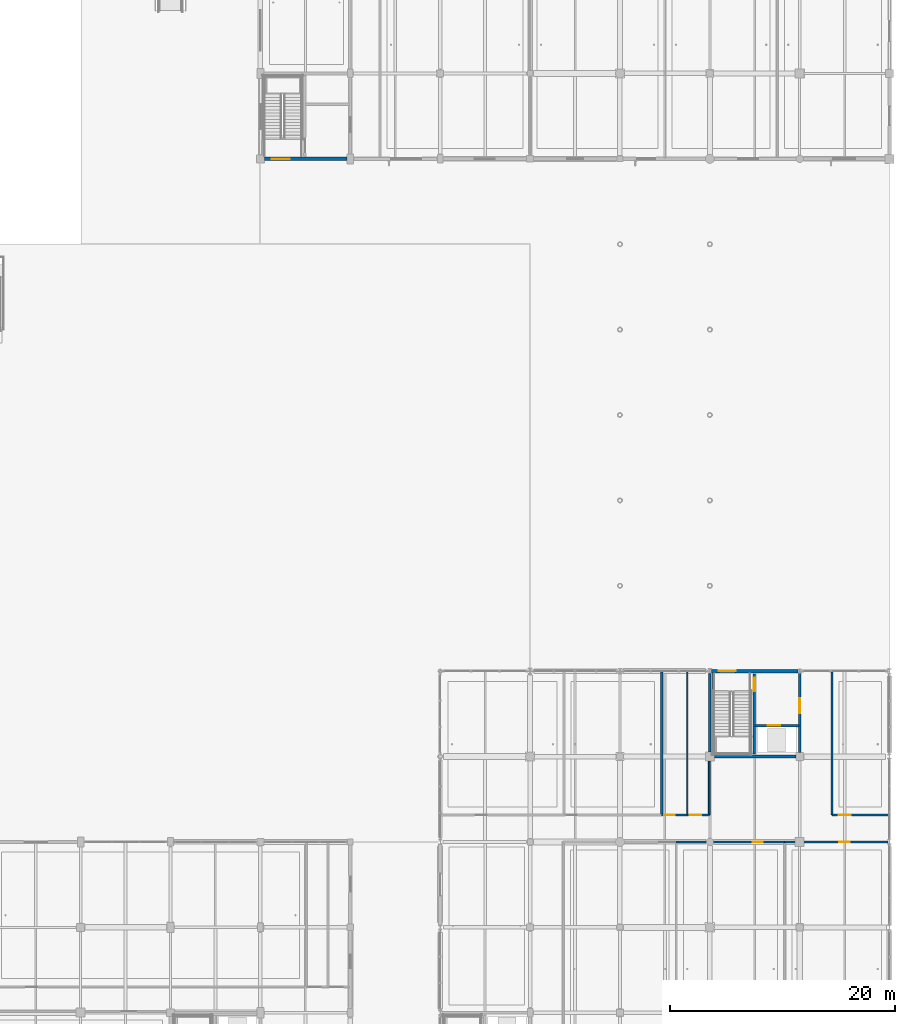
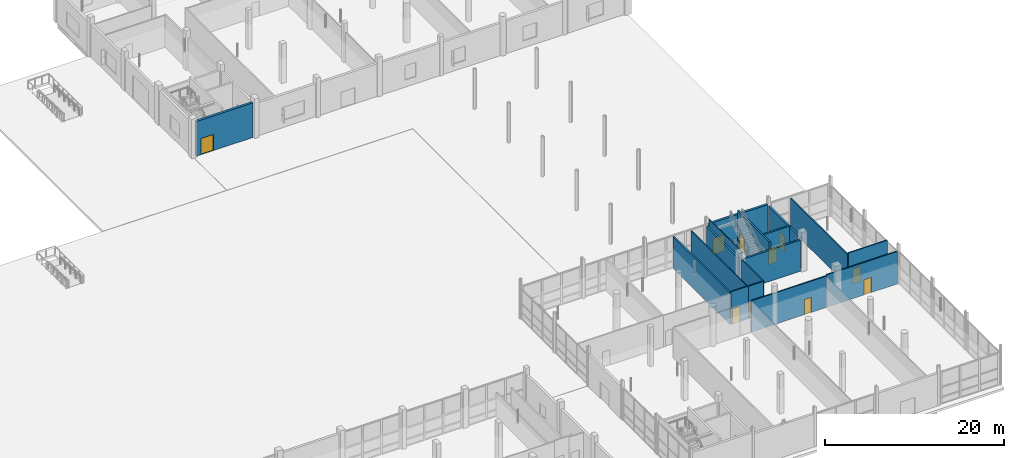
# One storey, part 68 of 126: 17 walls, 10 doors, 10 openings.
"""IFC4 building model written with IfcOpenShell, lengths in metres."""

from ifc_helpers import new_model, si_unit, direction, frame, frame_2d, origin, place, context, subcontext, project, spatial, rectangle, extrude, material, layer, layer_set, type_object, element, fill, save


model = new_model("IFC4")

# Units and contexts
model_context = context("Model", 3, precision=1e-05, world=origin(), true_north=direction((0.0, 1.0)))
body_context = subcontext(model_context, "Body", "Model", "MODEL_VIEW")
ifc_project = project(units=[si_unit("LENGTHUNIT", "METRE"), si_unit("AREAUNIT", "SQUARE_METRE"), si_unit("VOLUMEUNIT", "CUBIC_METRE"), si_unit("PLANEANGLEUNIT", "RADIAN"), si_unit("MASSUNIT", "GRAM", prefix="KILO")], contexts=[model_context])

# Site, building, storey
site_placement = place(None, origin())
site = spatial("IfcSite", under=ifc_project, at=site_placement, CompositionType="ELEMENT")
building_placement = place(site_placement, origin())
building = spatial("IfcBuilding", under=site, at=building_placement, Name="Khelvaren Railside Concert Hall", CompositionType="ELEMENT")
storey_placement = place(building_placement, origin())
storey = spatial("IfcBuildingStorey", under=building, at=storey_placement, Name="L00", CompositionType="ELEMENT", Elevation=0.0)

# Walls
ifc_material_1 = material(Name="Concrete C40/50", Category="concrete")
ifc_layer_1 = layer(ifc_material_1, 0.139892578125)
ifc_layer_set_1 = layer_set([ifc_layer_1], Name="Concrete C40/50")
wall_type_1 = type_object("IfcWallType", Name="CW17", PredefinedType="SOLIDWALL", material=ifc_layer_set_1)
wall_1_placement = place(storey_placement, frame((168.27490234375, 30.550048828125, 0.0), z_axis=(0.0, 0.0, 1.0), x_axis=(0.0, 1.0, 0.0)))
element("IfcWall", 1, at=wall_1_placement, inside=storey, type_object=wall_type_1, Name="Core Shaft Structural Liner Wall ST-04-L00", PredefinedType="SOLIDWALL", context=body_context, shape_type="SweptSolid", body=[
    extrude(rectangle(XDim=7.300048828125, YDim=0.139892578125, at=frame_2d((3.64990234375, 0.0))), origin(), (0.0, 0.0, 1.0), 5.10009765625),
])
ifc_layer_2 = layer(ifc_material_1, 0.25)
ifc_layer_set_2 = layer_set([ifc_layer_2], Name="Concrete C40/50")
wall_type_2 = type_object("IfcWallType", Name="CW82", PredefinedType="SOLIDWALL", material=ifc_layer_set_2)
wall_2_placement = place(storey_placement, frame((168.0, 30.800048828125, 0.0), z_axis=(0.0, 0.0, 1.0), x_axis=(0.0, 1.0, 0.0)))
element("IfcWall", 2, at=wall_2_placement, inside=storey, type_object=wall_type_2, Name="Core Enclosure Wall CWALL-ST-04-L00-W", PredefinedType="SOLIDWALL", context=body_context, shape_type="SweptSolid", body=[
    extrude(rectangle(XDim=7.0, YDim=0.25, at=frame_2d((3.5, 0.0))), origin(), (0.0, 0.0, 1.0), 4.235107421875),
])
wall_3_placement = place(storey_placement, frame((168.39990234375, 30.39990234375, 0.0), z_axis=(0.0, 0.0, 1.0), x_axis=(1.0, 0.0, 0.0)))
element("IfcWall", 3, at=wall_3_placement, inside=storey, type_object=wall_type_2, Name="Core Enclosure Wall CWALL-ST-04-L00-S", PredefinedType="SOLIDWALL", context=body_context, shape_type="SweptSolid", body=[
    extrude(rectangle(XDim=7.25, YDim=0.25, at=frame_2d((3.625, 0.0))), origin(), (0.0, 0.0, 1.0), 4.239990234375),
])

# Wall, opening, door
wall_4_placement = place(storey_placement, frame((176.0, 30.75, 0.0), z_axis=(0.0, 0.0, 1.0), x_axis=(0.0, 1.0, 0.0)))
wall_4 = element("IfcWall", 4, at=wall_4_placement, inside=storey, type_object=wall_type_2, Name="Core Enclosure Wall CWALL-ST-04-L00-E", PredefinedType="SOLIDWALL", context=body_context, shape_type="SweptSolid", body=[
    extrude(rectangle(XDim=7.070068359375, YDim=0.25, at=frame_2d((3.53515625, 0.0))), origin(), (0.0, 0.0, 1.0), 4.22509765625),
])
opening_1_placement = place(wall_4_placement, frame((3.5, 0.0, 0.0)))
opening_1 = element("IfcOpeningElement", 5, at=opening_1_placement, cuts=wall_4, Name="Opening FDR34", PredefinedType="OPENING", context=body_context, shape_type="SweptSolid", body=[
    extrude(rectangle(XDim=1.35009765625, YDim=2.199951171875, at=frame_2d((0.675048828125, 1.10009765625))), frame((0.0, 0.135009765625, 0.0), z_axis=(0.0, -1.0, 0.0), x_axis=(1.0, 0.0, 0.0)), (0.0, 0.0, 1.0), 0.27001953125),
])
ifc_material_2 = material(Name="Acoustic fire-rated timber-core steel frame door", Category="steel")
door_type_1 = type_object("IfcDoorType", Name="FDR34", OperationType="NOTDEFINED", PredefinedType="DOOR", material=ifc_material_2)
door_1_placement = place(opening_1_placement, origin())
door_1 = element("IfcDoor", 6, at=door_1_placement, inside=storey, type_object=door_type_1, Name="Interior Door DR-ST-04-L00-LOB", OperationType="SINGLE_SWING_LEFT", OverallHeight=2.199951171875, OverallWidth=1.35009765625, PredefinedType="DOOR", context=body_context, shape_type="SweptSolid", body=[
    extrude(rectangle(XDim=1.35009765625, YDim=2.199951171875, at=frame_2d((0.675048828125, 1.10009765625))), frame((0.0, 0.02490234375, 0.0), z_axis=(0.0, -1.0, 0.0), x_axis=(1.0, 0.0, 0.0)), (0.0, 0.0, 1.0), 0.050048828125),
])
fill(opening_1, door_1)

ifc_layer_3 = layer(ifc_material_1, 0.219970703125)
ifc_layer_set_3 = layer_set([ifc_layer_3], Name="Concrete C40/50")
wall_type_3 = type_object("IfcWallType", Name="CW97", PredefinedType="SOLIDWALL", material=ifc_layer_set_3)
wall_5_placement = place(storey_placement, frame((171.949951171875, 30.64990234375, 0.0), z_axis=(0.0, 0.0, 1.0), x_axis=(0.0, 1.0, 0.0)))
wall_5 = element("IfcWall", 7, at=wall_5_placement, inside=storey, type_object=wall_type_3, Name="Core Enclosure Wall CWALL-ST-04-L00-MID", PredefinedType="SOLIDWALL", context=body_context, shape_type="SweptSolid", body=[
    extrude(rectangle(XDim=7.10009765625, YDim=0.219970703125, at=frame_2d((3.550048828125, 0.0))), origin(), (0.0, 0.0, 1.0), 5.10009765625),
])
opening_2_placement = place(wall_5_placement, frame((5.550048828125, 0.0, 0.0)))
opening_2 = element("IfcOpeningElement", 8, at=opening_2_placement, cuts=wall_5, Name="Opening FDR17", PredefinedType="OPENING", context=body_context, shape_type="SweptSolid", body=[
    extrude(rectangle(XDim=1.199951171875, YDim=2.14990234375, at=frame_2d((0.60009765625, 1.074951171875))), frame((0.0, 0.119873046875, 0.0), z_axis=(0.0, -1.0, 0.0), x_axis=(1.0, 0.0, 0.0)), (0.0, 0.0, 1.0), 0.239990234375),
])
door_type_2 = type_object("IfcDoorType", Name="FDR17", OperationType="NOTDEFINED", PredefinedType="DOOR", material=ifc_material_2)
door_2_placement = place(opening_2_placement, origin())
door_2 = element("IfcDoor", 9, at=door_2_placement, inside=storey, type_object=door_type_2, Name="Interior Door DR-ST-04-L00-ST", OperationType="SINGLE_SWING_RIGHT", OverallHeight=2.14990234375, OverallWidth=1.199951171875, PredefinedType="DOOR", context=body_context, shape_type="SweptSolid", body=[
    extrude(rectangle(XDim=1.199951171875, YDim=2.14990234375, at=frame_2d((0.60009765625, 1.074951171875))), frame((0.0, 0.02490234375, 0.0), z_axis=(0.0, -1.0, 0.0), x_axis=(1.0, 0.0, 0.0)), (0.0, 0.0, 1.0), 0.050048828125),
])
fill(opening_2, door_2)

wall_6_placement = place(storey_placement, frame((172.02001953125, 33.14990234375, 0.0), z_axis=(0.0, 0.0, 1.0), x_axis=(1.0, 0.0, 0.0)))
wall_6 = element("IfcWall", 10, at=wall_6_placement, inside=storey, type_object=wall_type_3, Name="Core Enclosure Wall CWALL-ST-04-L00-SHF", PredefinedType="SOLIDWALL", context=body_context, shape_type="SweptSolid", body=[
    extrude(rectangle(XDim=3.929931640625, YDim=0.219970703125, at=frame_2d((1.96484375, 0.0))), origin(), (0.0, 0.0, 1.0), 4.39990234375),
])
opening_3_placement = place(wall_6_placement, frame((1.14990234375, 0.0, 0.0)))
opening_3 = element("IfcOpeningElement", 11, at=opening_3_placement, cuts=wall_6, Name="Opening LD-PL-03", PredefinedType="OPENING", context=body_context, shape_type="SweptSolid", body=[
    extrude(rectangle(XDim=1.10009765625, YDim=2.199951171875, at=frame_2d((0.550048828125, 1.10009765625))), frame((0.0, 0.119873046875, 0.0), z_axis=(0.0, -1.0, 0.0), x_axis=(1.0, 0.0, 0.0)), (0.0, 0.0, 1.0), 0.239990234375),
])
ifc_material_3 = material(Name="Fire-rated brushed stainless steel landing door", Category="steel")
door_type_3 = type_object("IfcDoorType", Name="LD96", OperationType="DOUBLE_DOOR_SLIDING", PredefinedType="DOOR", material=ifc_material_3)
door_3_placement = place(opening_3_placement, origin())
door_3 = element("IfcDoor", 12, at=door_3_placement, inside=storey, type_object=door_type_3, Name="Lift Landing Door LD-PL-03-L00", OperationType="DOUBLE_DOOR_SLIDING", OverallHeight=2.199951171875, OverallWidth=1.10009765625, PredefinedType="DOOR", context=body_context, shape_type="SweptSolid", body=[
    extrude(rectangle(XDim=1.10009765625, YDim=2.199951171875, at=frame_2d((0.550048828125, 1.10009765625))), frame((0.0, 0.02490234375, 0.0), z_axis=(0.0, -1.0, 0.0), x_axis=(1.0, 0.0, 0.0)), (0.0, 0.0, 1.0), 0.050048828125),
])
fill(opening_3, door_3)

ifc_material_4 = material(Name="Board-marked architectural concrete C40/50", Category="concrete")
ifc_layer_4 = layer(ifc_material_4, 0.280029296875)
ifc_layer_set_4 = layer_set([ifc_layer_4], Name="Board-marked architectural concrete C40/50")
wall_type_4 = type_object("IfcWallType", Name="EW17", PredefinedType="SOLIDWALL", material=ifc_layer_set_4)
wall_7_placement = place(storey_placement, frame((168.14990234375, 38.0, 0.0), z_axis=(0.0, 0.0, 1.0), x_axis=(1.0, 0.0, 0.0)))
wall_7 = element("IfcWall", 13, at=wall_7_placement, inside=storey, type_object=wall_type_4, Name="V2 L00 Exterior Concrete Wall N-168", PredefinedType="SOLIDWALL", context=body_context, shape_type="SweptSolid", body=[
    extrude(rectangle(XDim=7.7001953125, YDim=0.280029296875, at=frame_2d((3.85009765625, 0.0))), origin(), (0.0, 0.0, 1.0), 4.43994140625),
])
opening_4_placement = place(wall_7_placement, frame((0.64990234375, 0.0, 0.0)))
opening_4 = element("IfcOpeningElement", 14, at=opening_4_placement, cuts=wall_7, Name="Opening E-ST04", PredefinedType="OPENING", context=body_context, shape_type="SweptSolid", body=[
    extrude(rectangle(XDim=1.5, YDim=2.199951171875, at=frame_2d((0.75, 1.10009765625))), frame((0.0, 0.14990234375, 0.0), z_axis=(0.0, -1.0, 0.0), x_axis=(1.0, 0.0, 0.0)), (0.0, 0.0, 1.0), 0.300048828125),
])
ifc_material_5 = material(Name="Acoustic thermally broken steel exit door", Category="steel")
door_type_4 = type_object("IfcDoorType", Name="EDR82", OperationType="NOTDEFINED", PredefinedType="DOOR", material=ifc_material_5)
door_4_placement = place(opening_4_placement, origin())
door_4 = element("IfcDoor", 15, at=door_4_placement, inside=storey, type_object=door_type_4, Name="Final Stair Exit Door E-ST04", OperationType="SINGLE_SWING_RIGHT", OverallHeight=2.199951171875, OverallWidth=1.5, PredefinedType="DOOR", context=body_context, shape_type="SweptSolid", body=[
    extrude(rectangle(XDim=1.5, YDim=2.199951171875, at=frame_2d((0.75, 1.10009765625))), frame((0.0, 0.02490234375, 0.0), z_axis=(0.0, -1.0, 0.0), x_axis=(1.0, 0.0, 0.0)), (0.0, 0.0, 1.0), 0.050048828125),
])
fill(opening_4, door_4)

ifc_layer_5 = layer(ifc_material_4, 0.300048828125)
ifc_layer_set_5 = layer_set([ifc_layer_5], Name="Board-marked architectural concrete C40/50")
wall_type_5 = type_object("IfcWallType", Name="EW54", PredefinedType="SOLIDWALL", material=ifc_layer_set_5)
wall_8_placement = place(storey_placement, frame((135.699951171875, 83.60009765625, 0.0), z_axis=(0.0, 0.0, 1.0), x_axis=(-1.0, 0.0, 0.0)))
wall_8 = element("IfcWall", 16, at=wall_8_placement, inside=storey, type_object=wall_type_5, Name="V5 L00 Exterior Concrete Wall S-128", PredefinedType="SOLIDWALL", context=body_context, shape_type="SweptSolid", body=[
    extrude(rectangle(XDim=7.349853515625, YDim=0.300048828125, at=frame_2d((3.6748046875, 0.0))), origin(), (0.0, 0.0, 1.0), 4.739990234375),
])
opening_5_placement = place(wall_8_placement, frame((5.10009765625, 0.0, 0.0)))
opening_5 = element("IfcOpeningElement", 17, at=opening_5_placement, cuts=wall_8, Name="Opening E-ST12", PredefinedType="OPENING", context=body_context, shape_type="SweptSolid", body=[
    extrude(rectangle(XDim=1.60009765625, YDim=2.199951171875, at=frame_2d((0.800048828125, 1.10009765625))), frame((0.0, 0.159912109375, 0.0), z_axis=(0.0, -1.0, 0.0), x_axis=(1.0, 0.0, 0.0)), (0.0, 0.0, 1.0), 0.320068359375),
])
door_type_5 = type_object("IfcDoorType", Name="EDR80", OperationType="NOTDEFINED", PredefinedType="DOOR", material=ifc_material_5)
door_5_placement = place(opening_5_placement, origin())
door_5 = element("IfcDoor", 18, at=door_5_placement, inside=storey, type_object=door_type_5, Name="Final Stair Exit Door E-ST12", OperationType="SINGLE_SWING_LEFT", OverallHeight=2.199951171875, OverallWidth=1.60009765625, PredefinedType="DOOR", context=body_context, shape_type="SweptSolid", body=[
    extrude(rectangle(XDim=1.60009765625, YDim=2.199951171875, at=frame_2d((0.800048828125, 1.10009765625))), frame((0.0, 0.02490234375, 0.0), z_axis=(0.0, -1.0, 0.0), x_axis=(1.0, 0.0, 0.0)), (0.0, 0.0, 1.0), 0.050048828125),
])
fill(opening_5, door_5)

ifc_material_6 = material(Name="Acoustic double-stud gypsum partition", Category="gypsum")
ifc_layer_6 = layer(ifc_material_6, 0.159912109375)
ifc_layer_set_6 = layer_set([ifc_layer_6], Name="Acoustic double-stud gypsum partition")
wall_type_6 = type_object("IfcWallType", Name="PT19", PredefinedType="PARTITIONING", material=ifc_layer_set_6)
wall_9_placement = place(storey_placement, frame((165.009033203125, 22.800048828125, 0.0), z_axis=(0.0, 0.0, 1.0), x_axis=(1.0, 0.0, 0.0)))
wall_9 = element("IfcWall", 19, at=wall_9_placement, inside=storey, type_object=wall_type_6, Name="Acoustic Partition Wall PW-V2-L00-S-C02", PredefinedType="PARTITIONING", context=body_context, shape_type="SweptSolid", body=[
    extrude(rectangle(XDim=9.656982421875, YDim=0.159912109375, at=frame_2d((4.82861328125, 0.0))), origin(), (0.0, 0.0, 1.0), 4.27490234375),
])
opening_6_placement = place(wall_9_placement, frame((6.793701171875, 0.0, 0.0)))
opening_6 = element("IfcOpeningElement", 20, at=opening_6_placement, cuts=wall_9, Name="Opening IDR59", PredefinedType="OPENING", context=body_context, shape_type="SweptSolid", body=[
    extrude(rectangle(XDim=0.89990234375, YDim=2.050048828125, at=frame_2d((0.449951171875, 1.02490234375))), frame((0.0, 0.08984375, 0.0), z_axis=(0.0, -1.0, 0.0), x_axis=(1.0, 0.0, 0.0)), (0.0, 0.0, 1.0), 0.179931640625),
])
ifc_material_7 = material(Name="Solid oak acoustic studio door", Category="wood")
door_type_6 = type_object("IfcDoorType", Name="IDR59", OperationType="NOTDEFINED", PredefinedType="DOOR", material=ifc_material_7)
door_6_placement = place(opening_6_placement, origin())
door_6 = element("IfcDoor", 21, at=door_6_placement, inside=storey, type_object=door_type_6, Name="Interior Door DR-V2-L00-S-02", OperationType="SINGLE_SWING_RIGHT", OverallHeight=2.050048828125, OverallWidth=0.89990234375, PredefinedType="DOOR", context=body_context, shape_type="SweptSolid", body=[
    extrude(rectangle(XDim=0.89990234375, YDim=2.050048828125, at=frame_2d((0.449951171875, 1.02490234375))), frame((0.0, 0.02490234375, 0.0), z_axis=(0.0, -1.0, 0.0), x_axis=(1.0, 0.0, 0.0)), (0.0, 0.0, 1.0), 0.050048828125),
])
fill(opening_6, door_6)

wall_10_placement = place(storey_placement, frame((174.666015625, 22.800048828125, 0.0), z_axis=(0.0, 0.0, 1.0), x_axis=(1.0, 0.0, 0.0)))
wall_10 = element("IfcWall", 22, at=wall_10_placement, inside=storey, type_object=wall_type_6, Name="Acoustic Partition Wall PW-V2-L00-S-C03", PredefinedType="PARTITIONING", context=body_context, shape_type="SweptSolid", body=[
    extrude(rectangle(XDim=9.18408203125, YDim=0.159912109375, at=frame_2d((4.592041015625, 0.0))), origin(), (0.0, 0.0, 1.0), 4.425048828125),
])
opening_7_placement = place(wall_10_placement, frame((4.866455078125, 0.0, 0.0)))
opening_7 = element("IfcOpeningElement", 23, at=opening_7_placement, cuts=wall_10, Name="Opening IDR92", PredefinedType="OPENING", context=body_context, shape_type="SweptSolid", body=[
    extrude(rectangle(XDim=0.93994140625, YDim=2.050048828125, at=frame_2d((0.469970703125, 1.02490234375))), frame((0.0, 0.08984375, 0.0), z_axis=(0.0, -1.0, 0.0), x_axis=(1.0, 0.0, 0.0)), (0.0, 0.0, 1.0), 0.179931640625),
])
door_type_7 = type_object("IfcDoorType", Name="IDR92", OperationType="NOTDEFINED", PredefinedType="DOOR", material=ifc_material_7)
door_7_placement = place(opening_7_placement, origin())
door_7 = element("IfcDoor", 24, at=door_7_placement, inside=storey, type_object=door_type_7, Name="Interior Door DR-V2-L00-S-03", OperationType="SINGLE_SWING_LEFT", OverallHeight=2.050048828125, OverallWidth=0.93994140625, PredefinedType="DOOR", context=body_context, shape_type="SweptSolid", body=[
    extrude(rectangle(XDim=0.93994140625, YDim=2.050048828125, at=frame_2d((0.469970703125, 1.02490234375))), frame((0.0, 0.02490234375, 0.0), z_axis=(0.0, -1.0, 0.0), x_axis=(1.0, 0.0, 0.0)), (0.0, 0.0, 1.0), 0.050048828125),
])
fill(opening_7, door_7)

ifc_layer_7 = layer(ifc_material_6, 0.14990234375)
ifc_layer_set_7 = layer_set([ifc_layer_7], Name="Acoustic double-stud gypsum partition")
wall_type_7 = type_object("IfcWallType", Name="PT72", PredefinedType="PARTITIONING", material=ifc_layer_set_7)
wall_11_placement = place(storey_placement, frame((163.712890625, 25.199951171875, 0.0), z_axis=(0.0, 0.0, 1.0), x_axis=(1.0, 0.0, 0.0)))
wall_11 = element("IfcWall", 25, at=wall_11_placement, inside=storey, type_object=wall_type_7, Name="Acoustic Partition Wall PW-V2-L00-N-C03", PredefinedType="PARTITIONING", context=body_context, shape_type="SweptSolid", body=[
    extrude(rectangle(XDim=2.273193359375, YDim=0.14990234375, at=frame_2d((1.13671875, 0.0))), origin(), (0.0, 0.0, 1.0), 4.485107421875),
])
opening_8_placement = place(wall_11_placement, frame((0.219970703125, 0.0, 0.0)))
opening_8 = element("IfcOpeningElement", 26, at=opening_8_placement, cuts=wall_11, Name="Opening IDR22", PredefinedType="OPENING", context=body_context, shape_type="SweptSolid", body=[
    extrude(rectangle(XDim=0.9599609375, YDim=2.10009765625, at=frame_2d((0.47998046875, 1.050048828125))), frame((0.0, 0.0849609375, 0.0), z_axis=(0.0, -1.0, 0.0), x_axis=(1.0, 0.0, 0.0)), (0.0, 0.0, 1.0), 0.169921875),
])
door_type_8 = type_object("IfcDoorType", Name="IDR22", OperationType="NOTDEFINED", PredefinedType="DOOR", material=ifc_material_7)
door_8_placement = place(opening_8_placement, origin())
door_8 = element("IfcDoor", 27, at=door_8_placement, inside=storey, type_object=door_type_8, Name="Interior Door DR-V2-L00-N-03", OperationType="SINGLE_SWING_RIGHT", OverallHeight=2.10009765625, OverallWidth=0.9599609375, PredefinedType="DOOR", context=body_context, shape_type="SweptSolid", body=[
    extrude(rectangle(XDim=0.9599609375, YDim=2.10009765625, at=frame_2d((0.47998046875, 1.050048828125))), frame((0.0, 0.02490234375, 0.0), z_axis=(0.0, -1.0, 0.0), x_axis=(1.0, 0.0, 0.0)), (0.0, 0.0, 1.0), 0.050048828125),
])
fill(opening_8, door_8)

wall_12_placement = place(storey_placement, frame((165.986083984375, 25.199951171875, 0.0), z_axis=(0.0, 0.0, 1.0), x_axis=(1.0, 0.0, 0.0)))
wall_12 = element("IfcWall", 28, at=wall_12_placement, inside=storey, type_object=wall_type_7, Name="Acoustic Partition Wall PW-V2-L00-N-C04", PredefinedType="PARTITIONING", context=body_context, shape_type="SweptSolid", body=[
    extrude(rectangle(XDim=1.9638671875, YDim=0.14990234375, at=frame_2d((0.98193359375, 0.0))), origin(), (0.0, 0.0, 1.0), 4.449951171875),
])
opening_9_placement = place(wall_12_placement, frame((0.219970703125, 0.0, 0.0)))
opening_9 = element("IfcOpeningElement", 29, at=opening_9_placement, cuts=wall_12, Name="Opening IDR87", PredefinedType="OPENING", context=body_context, shape_type="SweptSolid", body=[
    extrude(rectangle(XDim=1.02001953125, YDim=2.10009765625, at=frame_2d((0.510009765625, 1.050048828125))), frame((0.0, 0.0849609375, 0.0), z_axis=(0.0, -1.0, 0.0), x_axis=(1.0, 0.0, 0.0)), (0.0, 0.0, 1.0), 0.169921875),
])
door_type_9 = type_object("IfcDoorType", Name="IDR87", OperationType="NOTDEFINED", PredefinedType="DOOR", material=ifc_material_7)
door_9_placement = place(opening_9_placement, origin())
door_9 = element("IfcDoor", 30, at=door_9_placement, inside=storey, type_object=door_type_9, Name="Interior Door DR-V2-L00-N-04", OperationType="SINGLE_SWING_LEFT", OverallHeight=2.10009765625, OverallWidth=1.02001953125, PredefinedType="DOOR", context=body_context, shape_type="SweptSolid", body=[
    extrude(rectangle(XDim=1.02001953125, YDim=2.10009765625, at=frame_2d((0.510009765625, 1.050048828125))), frame((0.0, 0.02490234375, 0.0), z_axis=(0.0, -1.0, 0.0), x_axis=(1.0, 0.0, 0.0)), (0.0, 0.0, 1.0), 0.050048828125),
])
fill(opening_9, door_9)

# Wall
wall_13_placement = place(storey_placement, frame((167.949951171875, 25.199951171875, 0.0), z_axis=(0.0, 0.0, 1.0), x_axis=(0.0, 1.0, 0.0)))
element("IfcWall", 31, at=wall_13_placement, inside=storey, type_object=wall_type_7, Name="Acoustic Partition Wall PW-V2-L00-BRGN-E", PredefinedType="PARTITIONING", context=body_context, shape_type="SweptSolid", body=[
    extrude(rectangle(XDim=4.800048828125, YDim=0.14990234375, at=frame_2d((2.39990234375, 0.0))), origin(), (0.0, 0.0, 1.0), 4.449951171875),
])

# Wall, opening, door
wall_14_placement = place(storey_placement, frame((178.8798828125, 25.199951171875, 0.0), z_axis=(0.0, 0.0, 1.0), x_axis=(1.0, 0.0, 0.0)))
wall_14 = element("IfcWall", 32, at=wall_14_placement, inside=storey, type_object=wall_type_7, Name="Acoustic Partition Wall PW-V2-L00-NE-C01", PredefinedType="PARTITIONING", context=body_context, shape_type="SweptSolid", body=[
    extrude(rectangle(XDim=5.0400390625, YDim=0.14990234375, at=frame_2d((2.52001953125, 0.0))), origin(), (0.0, 0.0, 1.0), 4.469970703125),
])
opening_10_placement = place(wall_14_placement, frame((0.580078125, 0.0, 0.0)))
opening_10 = element("IfcOpeningElement", 33, at=opening_10_placement, cuts=wall_14, Name="Opening IDR70", PredefinedType="OPENING", context=body_context, shape_type="SweptSolid", body=[
    extrude(rectangle(XDim=1.080078125, YDim=2.10009765625, at=frame_2d((0.5400390625, 1.050048828125))), frame((0.0, 0.0849609375, 0.0), z_axis=(0.0, -1.0, 0.0), x_axis=(1.0, 0.0, 0.0)), (0.0, 0.0, 1.0), 0.169921875),
])
door_type_10 = type_object("IfcDoorType", Name="IDR70", OperationType="NOTDEFINED", PredefinedType="DOOR", material=ifc_material_7)
door_10_placement = place(opening_10_placement, origin())
door_10 = element("IfcDoor", 34, at=door_10_placement, inside=storey, type_object=door_type_10, Name="Interior Door DR-V2-L00-NE-01", OperationType="SINGLE_SWING_RIGHT", OverallHeight=2.10009765625, OverallWidth=1.080078125, PredefinedType="DOOR", context=body_context, shape_type="SweptSolid", body=[
    extrude(rectangle(XDim=1.080078125, YDim=2.10009765625, at=frame_2d((0.5400390625, 1.050048828125))), frame((0.0, 0.02490234375, 0.0), z_axis=(0.0, -1.0, 0.0), x_axis=(1.0, 0.0, 0.0)), (0.0, 0.0, 1.0), 0.050048828125),
])
fill(opening_10, door_10)

# Walls
wall_15_placement = place(storey_placement, frame((178.8798828125, 25.199951171875, 0.0), z_axis=(0.0, 0.0, 1.0), x_axis=(0.0, 1.0, 0.0)))
element("IfcWall", 35, at=wall_15_placement, inside=storey, type_object=wall_type_7, Name="Acoustic Partition Wall PW-V2-L00-NE-W0", PredefinedType="PARTITIONING", context=body_context, shape_type="SweptSolid", body=[
    extrude(rectangle(XDim=12.719970703125, YDim=0.14990234375, at=frame_2d((6.35986328125, 0.0))), origin(), (0.0, 0.0, 1.0), 4.22509765625),
])
ifc_layer_8 = layer(ifc_material_6, 0.1201171875)
ifc_layer_set_8 = layer_set([ifc_layer_8], Name="Acoustic double-stud gypsum partition")
wall_type_8 = type_object("IfcWallType", Name="PT74", PredefinedType="PARTITIONING", material=ifc_layer_set_8)
wall_16_placement = place(storey_placement, frame((165.986083984375, 25.199951171875, 0.0), z_axis=(0.0, 0.0, 1.0), x_axis=(0.0, 1.0, 0.0)))
element("IfcWall", 36, at=wall_16_placement, inside=storey, type_object=wall_type_8, Name="Acoustic Partition Wall PW-V2-L00-N-D03", PredefinedType="PARTITIONING", context=body_context, shape_type="SweptSolid", body=[
    extrude(rectangle(XDim=12.719970703125, YDim=0.1201171875, at=frame_2d((6.35986328125, 0.0))), origin(), (0.0, 0.0, 1.0), 4.324951171875),
])
ifc_layer_9 = layer(ifc_material_6, 0.199951171875)
ifc_layer_set_9 = layer_set([ifc_layer_9], Name="Acoustic double-stud gypsum partition")
wall_type_9 = type_object("IfcWallType", Name="PT75", PredefinedType="PARTITIONING", material=ifc_layer_set_9)
wall_17_placement = place(storey_placement, frame((163.712890625, 25.199951171875, 0.0), z_axis=(0.0, 0.0, 1.0), x_axis=(0.0, 1.0, 0.0)))
element("IfcWall", 37, at=wall_17_placement, inside=storey, type_object=wall_type_9, Name="Acoustic Partition Wall PW-V2-L00-N-D02", PredefinedType="PARTITIONING", context=body_context, shape_type="SweptSolid", body=[
    extrude(rectangle(XDim=12.719970703125, YDim=0.199951171875, at=frame_2d((6.35986328125, 0.0))), origin(), (0.0, 0.0, 1.0), 4.324951171875),
])

save(model, "model.ifc")
